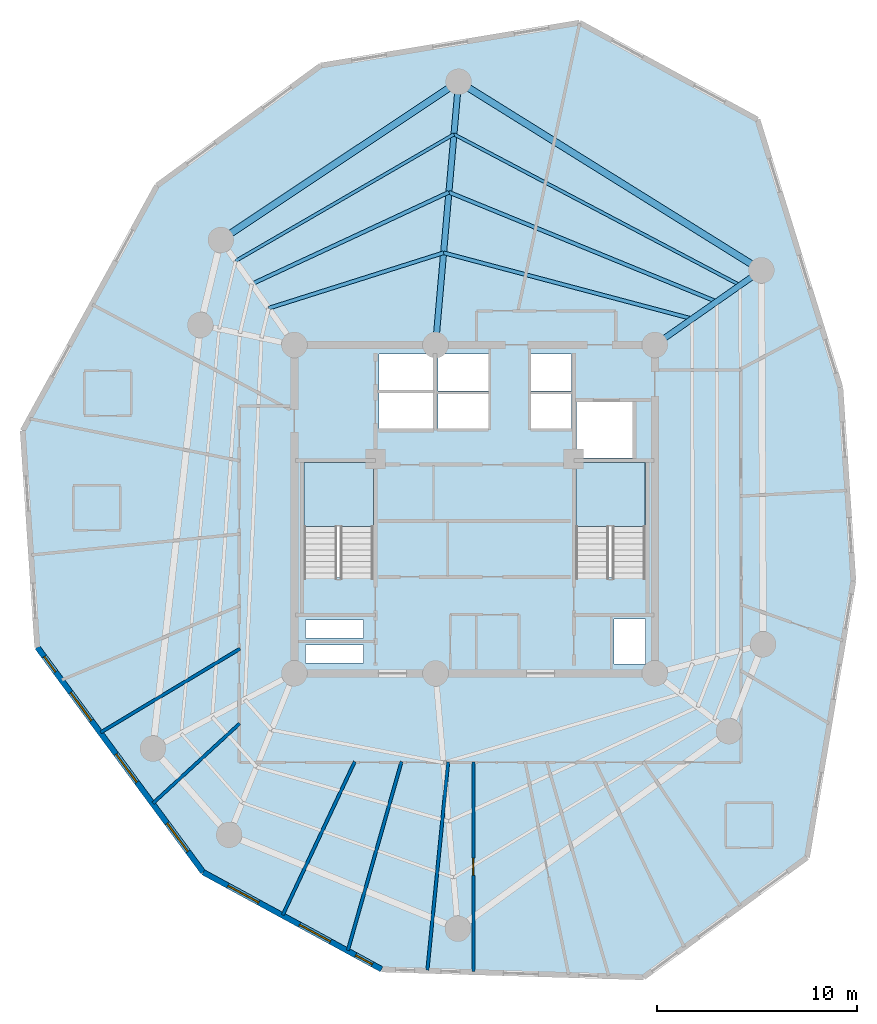
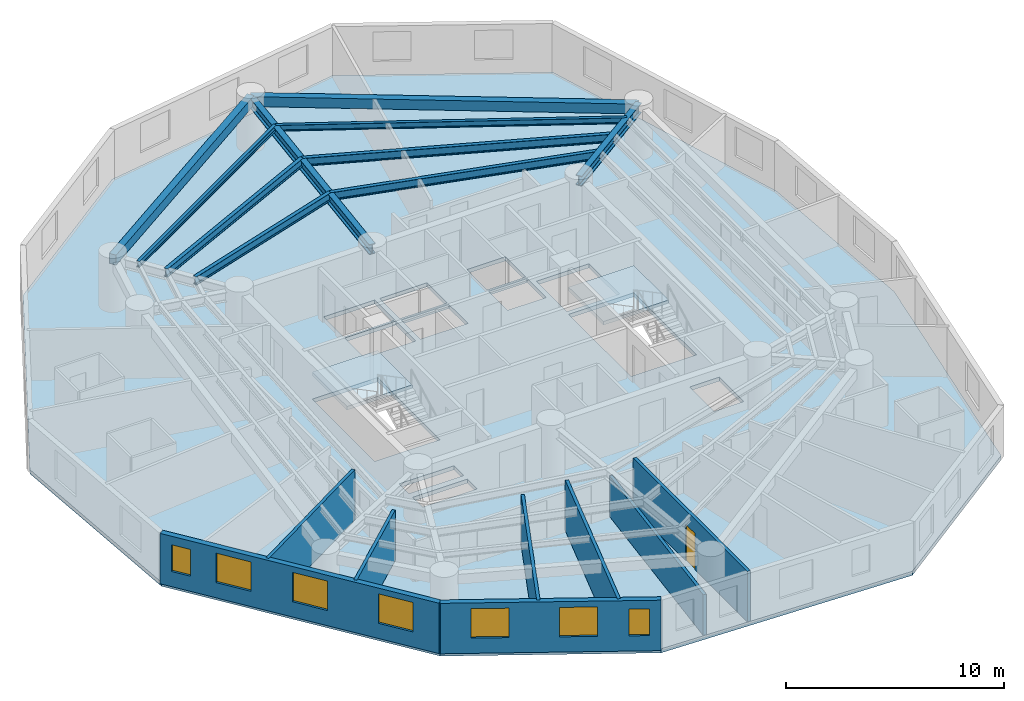
# One storey, part 2 of 7: 10 beams, 8 walls, 7 windows, 3 slabs, 1 door, 8 openings, 2 elements without a shape of their own.
"""IFC4 building model written with IfcOpenShell, lengths in metres."""

from ifc_helpers import new_model, si_unit, direction, frame, frame_2d, origin, origin_with_axes, origin_2d, place, context, subcontext, project, spatial, polyline, rectangle, i_section, outline, extrude, source, transform, mapped, material, layer, layer_set, material_profile, profile_set, type_object, element, fill, aggregate, save


model = new_model("IFC4")

# Units and contexts
model_context = context("Model", 3, precision=1e-05, world=origin(), true_north=direction((0.0, 1.0)))
body_context = subcontext(model_context, "Body", "Model", "MODEL_VIEW")
ifc_project = project(units=[si_unit("LENGTHUNIT", "METRE"), si_unit("AREAUNIT", "SQUARE_METRE"), si_unit("VOLUMEUNIT", "CUBIC_METRE"), si_unit("PLANEANGLEUNIT", "RADIAN"), si_unit("MASSUNIT", "GRAM", prefix="KILO")], contexts=[model_context])

# Site, building, storey
site_placement = place(None, origin())
site = spatial("IfcSite", under=ifc_project, at=site_placement, CompositionType="ELEMENT")
building_placement = place(site_placement, origin())
building = spatial("IfcBuilding", under=site, at=building_placement, Name="Karkom Vertical University and Central Library", CompositionType="ELEMENT")
storey_placement = place(building_placement, frame((0.0, 0.0, 196.199951171875)))
storey = spatial("IfcBuildingStorey", under=building, at=storey_placement, Name="L57", CompositionType="ELEMENT", Elevation=196.199951171875)

# Beams
ifc_material_1 = material(Name="Precast concrete C45/55", Category="concrete")
ifc_material_profile_1 = material_profile(ifc_material_1, rectangle(XDim=0.35009765625, YDim=0.550048828125, at=origin_2d()), Name="SPB-350x550")
ifc_profile_set_1 = profile_set([ifc_material_profile_1], Name="Precast concrete C45/55")
beam_type_1 = type_object("IfcBeamType", Name="STR-BM-SP-2", PredefinedType="SPANDREL", material=ifc_profile_set_1)
shared_shape_1 = source(origin_with_axes(), body_context, "Body", "SweptSolid", [
    extrude(rectangle(XDim=0.35009765625, YDim=0.550048828125, at=origin_2d()), origin(), (0.0, 0.0, 1.0), 17.81884765625),
])
beam_1_placement = place(storey_placement, frame((42.823974609375, 38.427978515625, 2.550048828125), z_axis=(-0.848764070164, 0.528771740167, 0.0), x_axis=(-0.528771740167, -0.848764070164, 0.0)))
element("IfcBeam", 1, at=beam_1_placement, inside=storey, type_object=beam_type_1, Name="Level 57 Perimeter Spandrel Beam 02", PredefinedType="SPANDREL", context=body_context, shape_type="MappedRepresentation", body=[
    mapped(shared_shape_1, transform((0.0, 0.0, 0.0), scale=1.0)),
])
shared_shape_2 = source(origin_with_axes(), body_context, "Body", "SweptSolid", [
    extrude(rectangle(XDim=0.35009765625, YDim=0.550048828125, at=origin_2d()), origin(), (0.0, 0.0, 1.0), 14.26318359375),
])
beam_2_placement = place(storey_placement, frame((27.699951171875, 47.85009765625, 2.550048828125), z_axis=(-0.83227406272, -0.554364396876, 0.0), x_axis=(0.554364396876, -0.83227406272, 0.0)))
element("IfcBeam", 2, at=beam_2_placement, inside=storey, type_object=beam_type_1, Name="Level 57 Perimeter Spandrel Beam 03", PredefinedType="SPANDREL", context=body_context, shape_type="MappedRepresentation", body=[
    mapped(shared_shape_2, transform((0.0, 0.0, 0.0), scale=1.0)),
])
ifc_material_2 = material(Name="Steel S355", Category="steel")
ifc_material_profile_2 = material_profile(ifc_material_2, i_section(OverallWidth=0.18994140625, OverallDepth=0.449951171875, WebThickness=0.009521484375, FlangeThickness=0.0146484375, FilletRadius=0.02099609375, at=origin_2d()), Name="IPE 450")
ifc_profile_set_2 = profile_set([ifc_material_profile_2], Name="Steel S355")
beam_type_2 = type_object("IfcBeamType", Name="STR-BM-SB-IPE450", PredefinedType="BEAM", material=ifc_profile_set_2)
shared_shape_3 = source(origin_with_axes(), body_context, "Body", "SweptSolid", [
    extrude(i_section(OverallWidth=0.18994140625, OverallDepth=0.449951171875, WebThickness=0.009521484375, FlangeThickness=0.0146484375, FilletRadius=0.02099609375, at=origin_2d()), origin(), (0.0, 0.0, 1.0), 12.841552734375),
])
beam_3_placement = place(storey_placement, frame((39.36328125, 36.0048828125, 2.60009765625), z_axis=(-0.96646647674, 0.256792814032, 0.0), x_axis=(-0.256792814032, -0.96646647674, 0.0)))
element("IfcBeam", 3, at=beam_3_placement, inside=storey, type_object=beam_type_2, Name="Level 57 Secondary Composite Floor Beam 1.02", PredefinedType="BEAM", context=body_context, shape_type="MappedRepresentation", body=[
    mapped(shared_shape_3, transform((0.0, 0.0, 0.0), scale=1.0)),
])
shared_shape_4 = source(origin_with_axes(), body_context, "Body", "SweptSolid", [
    extrude(i_section(OverallWidth=0.18994140625, OverallDepth=0.449951171875, WebThickness=0.009521484375, FlangeThickness=0.0146484375, FilletRadius=0.02099609375, at=origin_2d()), origin(), (0.0, 0.0, 1.0), 9.1650390625),
])
beam_4_placement = place(storey_placement, frame((26.952392578125, 39.302490234375, 2.60009765625), z_axis=(-0.953318200449, -0.301967562319, 0.0), x_axis=(0.301967562319, -0.953318200449, 0.0)))
element("IfcBeam", 4, at=beam_4_placement, inside=storey, type_object=beam_type_2, Name="Level 57 Secondary Composite Floor Beam 1.03", PredefinedType="BEAM", context=body_context, shape_type="MappedRepresentation", body=[
    mapped(shared_shape_4, transform((0.0, 0.0, 0.0), scale=1.0)),
])
shared_shape_5 = source(origin_with_axes(), body_context, "Body", "SweptSolid", [
    extrude(i_section(OverallWidth=0.18994140625, OverallDepth=0.449951171875, WebThickness=0.009521484375, FlangeThickness=0.0146484375, FilletRadius=0.02099609375, at=origin_2d()), origin(), (0.0, 0.0, 1.0), 14.4443359375),
])
beam_5_placement = place(storey_placement, frame((40.587890625, 36.8623046875, 2.60009765625), z_axis=(-0.925675328736, 0.378318894281, 0.0), x_axis=(-0.378318894281, -0.925675328736, 0.0)))
element("IfcBeam", 5, at=beam_5_placement, inside=storey, type_object=beam_type_2, Name="Level 57 Secondary Composite Floor Beam 2.02", PredefinedType="BEAM", context=body_context, shape_type="MappedRepresentation", body=[
    mapped(shared_shape_5, transform((0.0, 0.0, 0.0), scale=1.0)),
])
shared_shape_6 = source(origin_with_axes(), body_context, "Body", "SweptSolid", [
    extrude(i_section(OverallWidth=0.18994140625, OverallDepth=0.449951171875, WebThickness=0.009521484375, FlangeThickness=0.0146484375, FilletRadius=0.02099609375, at=origin_2d()), origin(), (0.0, 0.0, 1.0), 10.86181640625),
])
beam_6_placement = place(storey_placement, frame((27.217041015625, 42.326904296875, 2.60009765625), z_axis=(-0.90649871419, -0.422208575436, 0.0), x_axis=(0.422208575436, -0.90649871419, 0.0)))
element("IfcBeam", 6, at=beam_6_placement, inside=storey, type_object=beam_type_2, Name="Level 57 Secondary Composite Floor Beam 2.03", PredefinedType="BEAM", context=body_context, shape_type="MappedRepresentation", body=[
    mapped(shared_shape_6, transform((0.0, 0.0, 0.0), scale=1.0)),
])
ifc_material_profile_3 = material_profile(ifc_material_2, i_section(OverallWidth=0.159912109375, OverallDepth=0.330078125, WebThickness=0.007568359375, FlangeThickness=0.011474609375, FilletRadius=0.01806640625, at=origin_2d()), Name="IPE 330")
ifc_profile_set_3 = profile_set([ifc_material_profile_3], Name="Steel S355")
beam_type_3 = type_object("IfcBeamType", Name="STR-BM-SB-IPE330", PredefinedType="BEAM", material=ifc_profile_set_3)
shared_shape_7 = source(origin_with_axes(), body_context, "Body", "SweptSolid", [
    extrude(i_section(OverallWidth=0.159912109375, OverallDepth=0.330078125, WebThickness=0.007568359375, FlangeThickness=0.011474609375, FilletRadius=0.01806640625, at=origin_2d()), origin(), (0.0, 0.0, 1.0), 16.155517578125),
])
beam_7_placement = place(storey_placement, frame((41.75927734375, 37.682373046875, 2.66015625), z_axis=(-0.884486447848, 0.466565883423, 0.0), x_axis=(-0.466565883423, -0.884486447848, 0.0)))
element("IfcBeam", 7, at=beam_7_placement, inside=storey, type_object=beam_type_3, Name="Level 57 Secondary Composite Floor Beam 3.02", PredefinedType="BEAM", context=body_context, shape_type="MappedRepresentation", body=[
    mapped(shared_shape_7, transform((0.0, 0.0, 0.0), scale=1.0)),
])
shared_shape_8 = source(origin_with_axes(), body_context, "Body", "SweptSolid", [
    extrude(i_section(OverallWidth=0.159912109375, OverallDepth=0.330078125, WebThickness=0.007568359375, FlangeThickness=0.011474609375, FilletRadius=0.01806640625, at=origin_2d()), origin(), (0.0, 0.0, 1.0), 12.6083984375),
])
beam_8_placement = place(storey_placement, frame((27.469970703125, 45.219970703125, 2.66015625), z_axis=(-0.865038920595, -0.50170475965, 0.0), x_axis=(0.50170475965, -0.865038920595, 0.0)))
element("IfcBeam", 8, at=beam_8_placement, inside=storey, type_object=beam_type_3, Name="Level 57 Secondary Composite Floor Beam 3.03", PredefinedType="BEAM", context=body_context, shape_type="MappedRepresentation", body=[
    mapped(shared_shape_8, transform((0.0, 0.0, 0.0), scale=1.0)),
])
ifc_material_profile_4 = material_profile(ifc_material_2, i_section(OverallWidth=0.300048828125, OverallDepth=0.550048828125, WebThickness=0.014892578125, FlangeThickness=0.029052734375, FilletRadius=0.027099609375, at=origin_2d()), Name="HE 550 B")
ifc_profile_set_4 = profile_set([ifc_material_profile_4], Name="Steel S355")
beam_type_4 = type_object("IfcBeamType", Name="STR-BM-SB-HE550", PredefinedType="USERDEFINED", material=ifc_profile_set_4)
shared_shape_9 = source(origin_with_axes(), body_context, "Body", "SweptSolid", [
    extrude(i_section(OverallWidth=0.300048828125, OverallDepth=0.550048828125, WebThickness=0.014892578125, FlangeThickness=0.029052734375, FilletRadius=0.027099609375, at=origin_2d()), origin(), (0.0, 0.0, 1.0), 6.49951171875),
])
beam_9_placement = place(storey_placement, frame((37.5, 34.699951171875, 2.550048828125), z_axis=(0.819141909878, 0.573590909517, 0.0), x_axis=(-0.573590909517, 0.819141909878, 0.0)))
element("IfcBeam", 9, at=beam_9_placement, inside=storey, type_object=beam_type_4, Name="Level 57 Radial Frame Girder 02", ObjectType="GIRDER", PredefinedType="USERDEFINED", context=body_context, shape_type="MappedRepresentation", body=[
    mapped(shared_shape_9, transform((0.0, 0.0, 0.0), scale=1.0)),
])
shared_shape_10 = source(origin_with_axes(), body_context, "Body", "SweptSolid", [
    extrude(i_section(OverallWidth=0.300048828125, OverallDepth=0.550048828125, WebThickness=0.014892578125, FlangeThickness=0.029052734375, FilletRadius=0.027099609375, at=origin_2d()), origin(), (0.0, 0.0, 1.0), 13.200439453125),
])
beam_10_placement = place(storey_placement, frame((26.550048828125, 34.699951171875, 2.550048828125), z_axis=(0.087111657164, 0.996198554098, 0.0), x_axis=(-0.996198554098, 0.087111657164, 0.0)))
element("IfcBeam", 10, at=beam_10_placement, inside=storey, type_object=beam_type_4, Name="Level 57 Radial Frame Girder 03", ObjectType="GIRDER", PredefinedType="USERDEFINED", context=body_context, shape_type="MappedRepresentation", body=[
    mapped(shared_shape_10, transform((0.0, 0.0, 0.0), scale=1.0)),
])

# Stair, slab
ifc_material_3 = material(Name="Concrete C45/55", Category="concrete")
stair_type = type_object("IfcStairType", Name="INT-STR-ST-MAIN", PredefinedType="HALF_TURN_STAIR", material=ifc_material_3)
stair_1_placement = place(storey_placement, origin())
stair_1 = element("IfcStair", 11, at=stair_1_placement, inside=storey, type_object=stair_type, Name="Level 57 Tower Protected Exit Stair ST-1", PredefinedType="HALF_TURN_STAIR")
ifc_layer_1 = layer(ifc_material_3, 0.199951171875)
ifc_layer_set_1 = layer_set([ifc_layer_1], Name="Concrete C45/55")
slab_type_1 = type_object("IfcSlabType", Name="INT-SLB-LANDING", PredefinedType="LANDING", material=ifc_layer_set_1)
slab_1_placement = place(storey_placement, frame((0.0, 0.0, 1.324951171875)))
slab_1 = element("IfcSlab", 12, at=slab_1_placement, type_object=slab_type_1, Name="ST-1 landing 1", PredefinedType="LANDING", context=body_context, shape_type="SweptSolid", body=[
    extrude(outline(polyline([(23.43994140625, 25.6298828125), (23.43994140625, 28.820068359375), (19.97998046875, 28.820068359375), (19.97998046875, 25.6298828125), (23.43994140625, 25.6298828125)])), origin(), (0.0, 0.0, 1.0), 0.2001953125),
])
aggregate(stair_1, [slab_1])

stair_2_placement = place(storey_placement, origin())
stair_2 = element("IfcStair", 13, at=stair_2_placement, inside=storey, type_object=stair_type, Name="Level 57 Tower Protected Exit Stair ST-2", PredefinedType="HALF_TURN_STAIR")
slab_2_placement = place(storey_placement, frame((0.0, 0.0, 1.324951171875)))
slab_2 = element("IfcSlab", 14, at=slab_2_placement, type_object=slab_type_1, Name="ST-2 landing 1", PredefinedType="LANDING", context=body_context, shape_type="SweptSolid", body=[
    extrude(outline(polyline([(37.02001953125, 25.6298828125), (37.02001953125, 28.820068359375), (33.56005859375, 28.820068359375), (33.56005859375, 25.6298828125), (37.02001953125, 25.6298828125)])), origin(), (0.0, 0.0, 1.0), 0.2001953125),
])
aggregate(stair_2, [slab_2])

# Slab
ifc_layer_2 = layer(ifc_material_3, 0.22509765625)
ifc_layer_set_2 = layer_set([ifc_layer_2], Name="Concrete C45/55")
slab_type_2 = type_object("IfcSlabType", Name="STR-SLB-FLR-225", PredefinedType="FLOOR", material=ifc_layer_set_2)
slab_3_placement = place(storey_placement, frame((0.0, 0.0, -0.224853515625)))
element("IfcSlab", 15, at=slab_3_placement, inside=storey, type_object=slab_type_2, Name="Level 57 Tower Structural Floor Slab", PredefinedType="FLOOR", context=body_context, shape_type="SweptSolid", body=[
    extrude(outline(polyline([(5.938232421875, 30.41845703125), (6.664306640625, 19.6015625), (14.947998046875, 8.36669921875), (23.85400390625, 3.520263671875), (36.93701171875, 3.12744140625), (45.097900390625, 9.10791015625), (47.41162109375, 22.9189453125), (46.76318359375, 32.576416015625), (42.624755859375, 45.9541015625), (33.73779296875, 50.790283203125), (20.82470703125, 48.65283203125), (12.646240234375, 42.659423828125), (5.938232421875, 30.41845703125)]), holes=[polyline([(19.97998046875, 23.0849609375), (23.43994140625, 23.0849609375), (23.43994140625, 28.820068359375), (19.97998046875, 28.820068359375), (19.97998046875, 23.0849609375)]), polyline([(33.56005859375, 23.0849609375), (37.02001953125, 23.0849609375), (37.02001953125, 28.820068359375), (33.56005859375, 28.820068359375), (33.56005859375, 23.0849609375)]), polyline([(26.679931640625, 30.5), (29.199951171875, 30.5), (29.199951171875, 32.25), (26.679931640625, 32.25), (26.679931640625, 30.5)]), polyline([(26.679931640625, 32.39990234375), (29.199951171875, 32.39990234375), (29.199951171875, 34.25), (26.679931640625, 34.25), (26.679931640625, 32.39990234375)]), polyline([(31.300048828125, 30.5), (33.35009765625, 30.5), (33.35009765625, 32.25), (31.300048828125, 32.25), (31.300048828125, 30.5)]), polyline([(31.300048828125, 32.39990234375), (33.35009765625, 32.39990234375), (33.35009765625, 34.25), (31.300048828125, 34.25), (31.300048828125, 32.39990234375)]), polyline([(23.719970703125, 30.47998046875), (26.429931640625, 30.47998046875), (26.429931640625, 32.320068359375), (23.719970703125, 32.320068359375), (23.719970703125, 30.47998046875)]), polyline([(23.719970703125, 32.419921875), (26.429931640625, 32.419921875), (26.429931640625, 34.260009765625), (23.719970703125, 34.260009765625), (23.719970703125, 32.419921875)]), polyline([(33.60009765625, 29.050048828125), (36.39990234375, 29.050048828125), (36.39990234375, 31.85009765625), (33.60009765625, 31.85009765625), (33.60009765625, 29.050048828125)]), polyline([(20.050048828125, 18.820068359375), (22.949951171875, 18.820068359375), (22.949951171875, 19.719970703125), (20.050048828125, 19.719970703125), (20.050048828125, 18.820068359375)]), polyline([(20.050048828125, 20.06005859375), (22.949951171875, 20.06005859375), (22.949951171875, 20.9599609375), (20.050048828125, 20.9599609375), (20.050048828125, 20.06005859375)]), polyline([(35.4599609375, 18.760009765625), (37.0400390625, 18.760009765625), (37.0400390625, 21.010009765625), (35.4599609375, 21.010009765625), (35.4599609375, 18.760009765625)])]), origin(), (0.0, 0.0, 1.0), 0.224853515625),
])

# Wall, openings, windows
ifc_material_4 = material(Name="Brick-faced precast concrete C45/55", Category="masonry")
ifc_layer_3 = layer(ifc_material_4, 0.280029296875)
ifc_layer_set_3 = layer_set([ifc_layer_3], Name="Brick-faced precast concrete C45/55")
wall_type_1 = type_object("IfcWallType", Name="ENV-WL-BRK-280", PredefinedType="SOLIDWALL", material=ifc_layer_set_3)
wall_1_placement = place(storey_placement, frame((6.664306640625, 19.6015625, 0.0), z_axis=(0.0, 0.0, 1.0), x_axis=(0.593448396575, -0.804872039894, 0.0)))
wall_1 = element("IfcWall", 16, at=wall_1_placement, inside=storey, type_object=wall_type_1, Name="Level 57 Brick-Faced Precast Facade Wall 02", PredefinedType="SOLIDWALL", context=body_context, shape_type="SweptSolid", body=[
    extrude(rectangle(XDim=13.95849609375, YDim=0.280029296875, at=frame_2d((6.979248046875, 0.0))), origin(), (0.0, 0.0, 1.0), 2.824951171875),
])
opening_1_placement = place(wall_1_placement, frame((0.57861328125, 0.0, 0.85009765625)))
opening_1 = element("IfcOpeningElement", 17, at=opening_1_placement, cuts=wall_1, Name="Opening WN-12", PredefinedType="OPENING", context=body_context, shape_type="SweptSolid", body=[
    extrude(rectangle(XDim=0.949951171875, YDim=1.5, at=frame_2d((0.47509765625, 0.75))), frame((0.0, 0.14990234375, 0.0), z_axis=(0.0, -1.0, 0.0), x_axis=(1.0, 0.0, 0.0)), (0.0, 0.0, 1.0), 0.300048828125),
])
opening_2_placement = place(wall_1_placement, frame((2.800048828125, 0.0, 0.85009765625)))
opening_2 = element("IfcOpeningElement", 18, at=opening_2_placement, cuts=wall_1, Name="Opening WN-08", PredefinedType="OPENING", context=body_context, shape_type="SweptSolid", body=[
    extrude(rectangle(XDim=1.75, YDim=1.64990234375, at=frame_2d((0.875, 0.824951171875))), frame((0.0, 0.14990234375, 0.0), z_axis=(0.0, -1.0, 0.0), x_axis=(1.0, 0.0, 0.0)), (0.0, 0.0, 1.0), 0.300048828125),
])
opening_3_placement = place(wall_1_placement, frame((6.622314453125, 0.0, 0.85009765625)))
opening_3 = element("IfcOpeningElement", 19, at=opening_3_placement, cuts=wall_1, Name="Opening WN-08", PredefinedType="OPENING", context=body_context, shape_type="SweptSolid", body=[
    extrude(rectangle(XDim=1.75, YDim=1.64990234375, at=frame_2d((0.875, 0.824951171875))), frame((0.0, 0.14990234375, 0.0), z_axis=(0.0, -1.0, 0.0), x_axis=(1.0, 0.0, 0.0)), (0.0, 0.0, 1.0), 0.300048828125),
])
opening_4_placement = place(wall_1_placement, frame((10.919921875, 0.0, 0.85009765625)))
opening_4 = element("IfcOpeningElement", 20, at=opening_4_placement, cuts=wall_1, Name="Opening WN-08", PredefinedType="OPENING", context=body_context, shape_type="SweptSolid", body=[
    extrude(rectangle(XDim=1.75, YDim=1.64990234375, at=frame_2d((0.875, 0.824951171875))), frame((0.0, 0.14990234375, 0.0), z_axis=(0.0, -1.0, 0.0), x_axis=(1.0, 0.0, 0.0)), (0.0, 0.0, 1.0), 0.300048828125),
])
ifc_material_5 = material(Name="Aluminium thermal-break frame with solar-control IGU", Category="aluminium")
window_type_1 = type_object("IfcWindowType", Name="ENV-WIN-WN-12", PartitioningType="SINGLE_PANEL", PredefinedType="WINDOW", material=ifc_material_5)
shared_shape_11 = source(origin_with_axes(), body_context, "Body", "SweptSolid", [
    extrude(rectangle(XDim=0.949951171875, YDim=1.5, at=frame_2d((0.47509765625, 0.75))), frame((0.0, 0.030029296875, 0.0), z_axis=(0.0, -1.0, 0.0), x_axis=(1.0, 0.0, 0.0)), (0.0, 0.0, 1.0), 0.06005859375),
])
window_1_placement = place(opening_1_placement, origin())
window_1 = element("IfcWindow", 21, at=window_1_placement, inside=storey, type_object=window_type_1, Name="Level 57 Punched Window 2.1", OverallHeight=1.5, OverallWidth=0.949951171875, PartitioningType="SINGLE_PANEL", PredefinedType="WINDOW", context=body_context, shape_type="MappedRepresentation", body=[
    mapped(shared_shape_11, transform((0.0, 0.0, 0.0), scale=1.0)),
])
fill(opening_1, window_1)
window_type_2 = type_object("IfcWindowType", Name="ENV-WIN-WN-08", PartitioningType="SINGLE_PANEL", PredefinedType="WINDOW", material=ifc_material_5)
shared_shape_12 = source(origin_with_axes(), body_context, "Body", "SweptSolid", [
    extrude(rectangle(XDim=1.75, YDim=1.64990234375, at=frame_2d((0.875, 0.824951171875))), frame((0.0, 0.030029296875, 0.0), z_axis=(0.0, -1.0, 0.0), x_axis=(1.0, 0.0, 0.0)), (0.0, 0.0, 1.0), 0.06005859375),
])
window_2_placement = place(opening_2_placement, origin())
window_2 = element("IfcWindow", 22, at=window_2_placement, inside=storey, type_object=window_type_2, Name="Level 57 Punched Window 2.2", OverallHeight=1.64990234375, OverallWidth=1.75, PartitioningType="SINGLE_PANEL", PredefinedType="WINDOW", context=body_context, shape_type="MappedRepresentation", body=[
    mapped(shared_shape_12, transform((0.0, 0.0, 0.0), scale=1.0)),
])
fill(opening_2, window_2)
window_3_placement = place(opening_3_placement, origin())
window_3 = element("IfcWindow", 23, at=window_3_placement, inside=storey, type_object=window_type_2, Name="Level 57 Punched Window 2.3", OverallHeight=1.64990234375, OverallWidth=1.75, PartitioningType="SINGLE_PANEL", PredefinedType="WINDOW", context=body_context, shape_type="MappedRepresentation", body=[
    mapped(shared_shape_12, transform((0.0, 0.0, 0.0), scale=1.0)),
])
fill(opening_3, window_3)
window_4_placement = place(opening_4_placement, origin())
window_4 = element("IfcWindow", 24, at=window_4_placement, inside=storey, type_object=window_type_2, Name="Level 57 Punched Window 2.4", OverallHeight=1.64990234375, OverallWidth=1.75, PartitioningType="SINGLE_PANEL", PredefinedType="WINDOW", context=body_context, shape_type="MappedRepresentation", body=[
    mapped(shared_shape_12, transform((0.0, 0.0, 0.0), scale=1.0)),
])
fill(opening_4, window_4)

wall_2_placement = place(storey_placement, frame((14.947998046875, 8.36669921875, 0.0), z_axis=(0.0, 0.0, 1.0), x_axis=(0.878367211704, -0.477986444791, 0.0)))
wall_2 = element("IfcWall", 25, at=wall_2_placement, inside=storey, type_object=wall_type_1, Name="Level 57 Brick-Faced Precast Facade Wall 03", PredefinedType="SOLIDWALL", context=body_context, shape_type="SweptSolid", body=[
    extrude(rectangle(XDim=10.13916015625, YDim=0.280029296875, at=frame_2d((5.069580078125, 0.0))), origin(), (0.0, 0.0, 1.0), 2.824951171875),
])
opening_5_placement = place(wall_2_placement, frame((1.408447265625, 0.0, 0.85009765625)))
opening_5 = element("IfcOpeningElement", 26, at=opening_5_placement, cuts=wall_2, Name="Opening WN-08", PredefinedType="OPENING", context=body_context, shape_type="SweptSolid", body=[
    extrude(rectangle(XDim=1.75, YDim=1.64990234375, at=frame_2d((0.875, 0.824951171875))), frame((0.0, 0.14990234375, 0.0), z_axis=(0.0, -1.0, 0.0), x_axis=(1.0, 0.0, 0.0)), (0.0, 0.0, 1.0), 0.300048828125),
])
opening_6_placement = place(wall_2_placement, frame((5.47900390625, 0.0, 0.85009765625)))
opening_6 = element("IfcOpeningElement", 27, at=opening_6_placement, cuts=wall_2, Name="Opening WN-08", PredefinedType="OPENING", context=body_context, shape_type="SweptSolid", body=[
    extrude(rectangle(XDim=1.75, YDim=1.64990234375, at=frame_2d((0.875, 0.824951171875))), frame((0.0, 0.14990234375, 0.0), z_axis=(0.0, -1.0, 0.0), x_axis=(1.0, 0.0, 0.0)), (0.0, 0.0, 1.0), 0.300048828125),
])
opening_7_placement = place(wall_2_placement, frame((8.665283203125, 0.0, 0.85009765625)))
opening_7 = element("IfcOpeningElement", 28, at=opening_7_placement, cuts=wall_2, Name="Opening WN-12", PredefinedType="OPENING", context=body_context, shape_type="SweptSolid", body=[
    extrude(rectangle(XDim=0.949951171875, YDim=1.5, at=frame_2d((0.47509765625, 0.75))), frame((0.0, 0.14990234375, 0.0), z_axis=(0.0, -1.0, 0.0), x_axis=(1.0, 0.0, 0.0)), (0.0, 0.0, 1.0), 0.300048828125),
])
window_5_placement = place(opening_7_placement, origin())
window_5 = element("IfcWindow", 29, at=window_5_placement, inside=storey, type_object=window_type_1, Name="Level 57 Punched Window 3.3", OverallHeight=1.5, OverallWidth=0.949951171875, PartitioningType="SINGLE_PANEL", PredefinedType="WINDOW", context=body_context, shape_type="MappedRepresentation", body=[
    mapped(shared_shape_11, transform((0.0, 0.0, 0.0), scale=1.0)),
])
fill(opening_7, window_5)
window_6_placement = place(opening_5_placement, origin())
window_6 = element("IfcWindow", 30, at=window_6_placement, inside=storey, type_object=window_type_2, Name="Level 57 Punched Window 3.1", OverallHeight=1.64990234375, OverallWidth=1.75, PartitioningType="SINGLE_PANEL", PredefinedType="WINDOW", context=body_context, shape_type="MappedRepresentation", body=[
    mapped(shared_shape_12, transform((0.0, 0.0, 0.0), scale=1.0)),
])
fill(opening_5, window_6)
window_7_placement = place(opening_6_placement, origin())
window_7 = element("IfcWindow", 31, at=window_7_placement, inside=storey, type_object=window_type_2, Name="Level 57 Punched Window 3.2", OverallHeight=1.64990234375, OverallWidth=1.75, PartitioningType="SINGLE_PANEL", PredefinedType="WINDOW", context=body_context, shape_type="MappedRepresentation", body=[
    mapped(shared_shape_12, transform((0.0, 0.0, 0.0), scale=1.0)),
])
fill(opening_6, window_7)

# Wall, opening, door
ifc_material_6 = material(Name="Insulated metal-stud drywall 160mm", Category="gypsum")
ifc_layer_4 = layer(ifc_material_6, 0.159912109375)
ifc_layer_set_4 = layer_set([ifc_layer_4], Name="Insulated metal-stud drywall 160mm")
wall_type_2 = type_object("IfcWallType", Name="INT-WL-COR-160", PredefinedType="PARTITIONING", material=ifc_layer_set_4)
wall_3_placement = place(storey_placement, frame((28.440673828125, 13.8798828125, 0.0), z_axis=(0.0, 0.0, 1.0), x_axis=(2.3313284e-05, -0.999999999728, 0.0)))
wall_3 = element("IfcWall", 32, at=wall_3_placement, inside=storey, type_object=wall_type_2, Name="Level 57 Interior Partition Wall L57-PW-008", PredefinedType="PARTITIONING", context=body_context, shape_type="SweptSolid", body=[
    extrude(rectangle(XDim=10.47216796875, YDim=0.159912109375, at=frame_2d((5.236083984375, 0.0))), origin(), (0.0, 0.0, 1.0), 2.824951171875),
])
opening_8_placement = place(wall_3_placement, frame((4.80615234375, 0.0, 0.0)))
opening_8 = element("IfcOpeningElement", 33, at=opening_8_placement, cuts=wall_3, Name="Opening FD-BTH2", PredefinedType="OPENING", context=body_context, shape_type="SweptSolid", body=[
    extrude(rectangle(XDim=0.860107421875, YDim=2.0400390625, at=frame_2d((0.43017578125, 1.02001953125))), frame((0.0, 0.08984375, 0.0), z_axis=(0.0, -1.0, 0.0), x_axis=(1.0, 0.0, 0.0)), (0.0, 0.0, 1.0), 0.179931640625),
])
ifc_material_7 = material(Name="Fire-rated moisture-resistant oak door", Category="wood")
door_type = type_object("IfcDoorType", Name="INT-DR-FBTH2", OperationType="NOTDEFINED", PredefinedType="DOOR", material=ifc_material_7)
shared_shape_13 = source(origin_with_axes(), body_context, "Body", "SweptSolid", [
    extrude(rectangle(XDim=0.860107421875, YDim=2.0400390625, at=frame_2d((0.43017578125, 1.02001953125))), frame((0.0, 0.02490234375, 0.0), z_axis=(0.0, -1.0, 0.0), x_axis=(1.0, 0.0, 0.0)), (0.0, 0.0, 1.0), 0.050048828125),
])
door_placement = place(opening_8_placement, origin())
door = element("IfcDoor", 34, at=door_placement, inside=storey, type_object=door_type, Name="Level 57 Scholar Consultation Office Entry Door", OperationType="SINGLE_SWING_RIGHT", OverallHeight=2.0400390625, OverallWidth=0.860107421875, PredefinedType="DOOR", context=body_context, shape_type="MappedRepresentation", body=[
    mapped(shared_shape_13, transform((0.0, 0.0, 0.0), scale=1.0)),
])
fill(opening_8, door)

# Walls
wall_4_placement = place(storey_placement, frame((27.1806640625, 13.8798828125, 0.0), z_axis=(0.0, 0.0, 1.0), x_axis=(-0.099270194299, -0.995060515006, 0.0)))
element("IfcWall", 35, at=wall_4_placement, inside=storey, type_object=wall_type_2, Name="Level 57 Interior Partition Wall L57-PW-007", PredefinedType="PARTITIONING", context=body_context, shape_type="SweptSolid", body=[
    extrude(rectangle(XDim=10.454833984375, YDim=0.159912109375, at=frame_2d((5.2275390625, 0.0))), origin(), (0.0, 0.0, 1.0), 2.275146484375),
])
wall_5_placement = place(storey_placement, frame((24.852294921875, 13.893310546875, 0.0), z_axis=(0.0, 0.0, 1.0), x_axis=(-0.273562843457, -0.961854131706, 0.0)))
element("IfcWall", 36, at=wall_5_placement, inside=storey, type_object=wall_type_2, Name="Level 57 Interior Partition Wall L57-PW-006", PredefinedType="PARTITIONING", context=body_context, shape_type="SweptSolid", body=[
    extrude(rectangle(XDim=9.80078125, YDim=0.159912109375, at=frame_2d((4.900390625, 0.0))), origin(), (0.0, 0.0, 1.0), 2.824951171875),
])
wall_6_placement = place(storey_placement, frame((22.514892578125, 13.890869140625, 0.0), z_axis=(0.0, 0.0, 1.0), x_axis=(-0.424922582095, -0.90522969418, 0.0)))
element("IfcWall", 37, at=wall_6_placement, inside=storey, type_object=wall_type_2, Name="Level 57 Interior Partition Wall L57-PW-005", PredefinedType="PARTITIONING", context=body_context, shape_type="SweptSolid", body=[
    extrude(rectangle(XDim=8.459228515625, YDim=0.159912109375, at=frame_2d((4.2294921875, 0.0))), origin(), (0.0, 0.0, 1.0), 2.824951171875),
])
wall_7_placement = place(storey_placement, frame((16.78857421875, 19.532470703125, 0.0), z_axis=(0.0, 0.0, 1.0), x_axis=(-0.857153109776, -0.515061691841, 0.0)))
element("IfcWall", 38, at=wall_7_placement, inside=storey, type_object=wall_type_2, Name="Level 57 Interior Partition Wall L57-PW-003", PredefinedType="PARTITIONING", context=body_context, shape_type="SweptSolid", body=[
    extrude(rectangle(XDim=8.11865234375, YDim=0.159912109375, at=frame_2d((4.059326171875, 0.0))), origin(), (0.0, 0.0, 1.0), 2.824951171875),
])
wall_8_placement = place(storey_placement, frame((16.772216796875, 15.798095703125, 0.0), z_axis=(0.0, 0.0, 1.0), x_axis=(-0.736134292398, -0.676835507015, 0.0)))
element("IfcWall", 39, at=wall_8_placement, inside=storey, type_object=wall_type_2, Name="Level 57 Interior Partition Wall L57-PW-004", PredefinedType="PARTITIONING", context=body_context, shape_type="SweptSolid", body=[
    extrude(rectangle(XDim=5.887451171875, YDim=0.159912109375, at=frame_2d((2.94384765625, 0.0))), origin(), (0.0, 0.0, 1.0), 2.824951171875),
])

save(model, "model.ifc")
